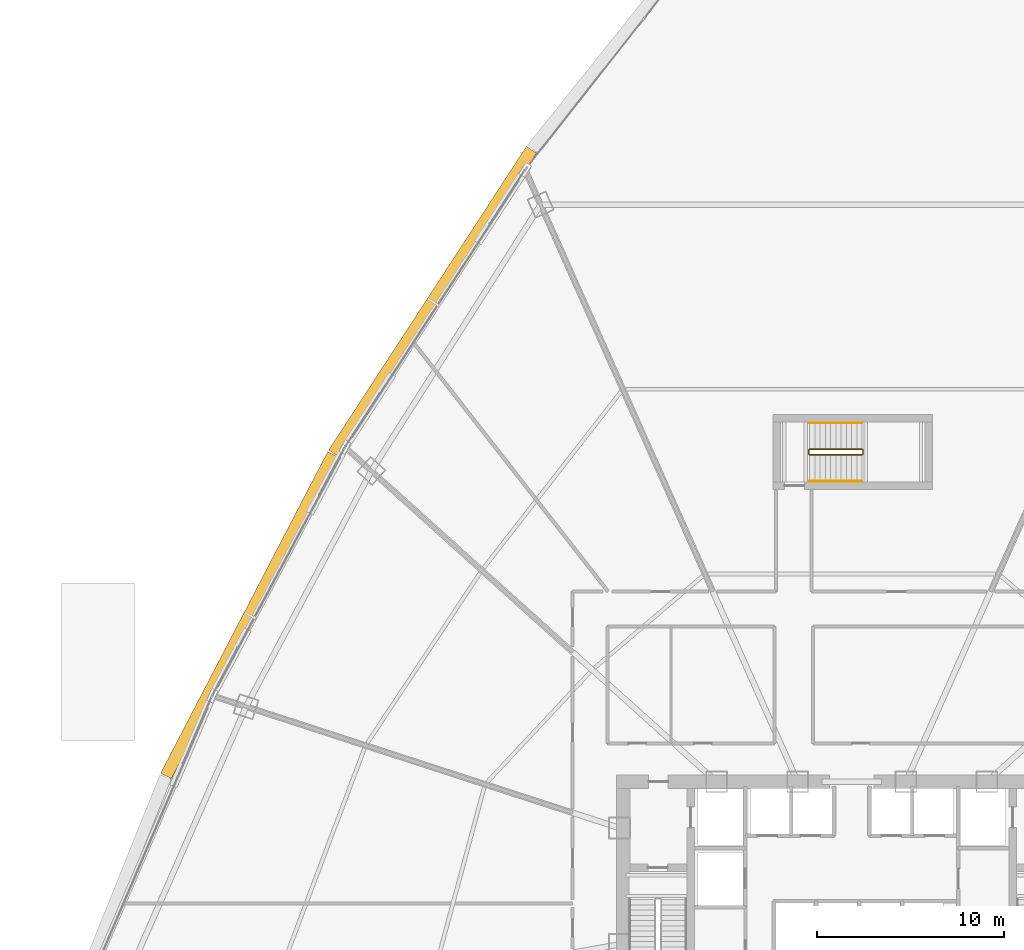
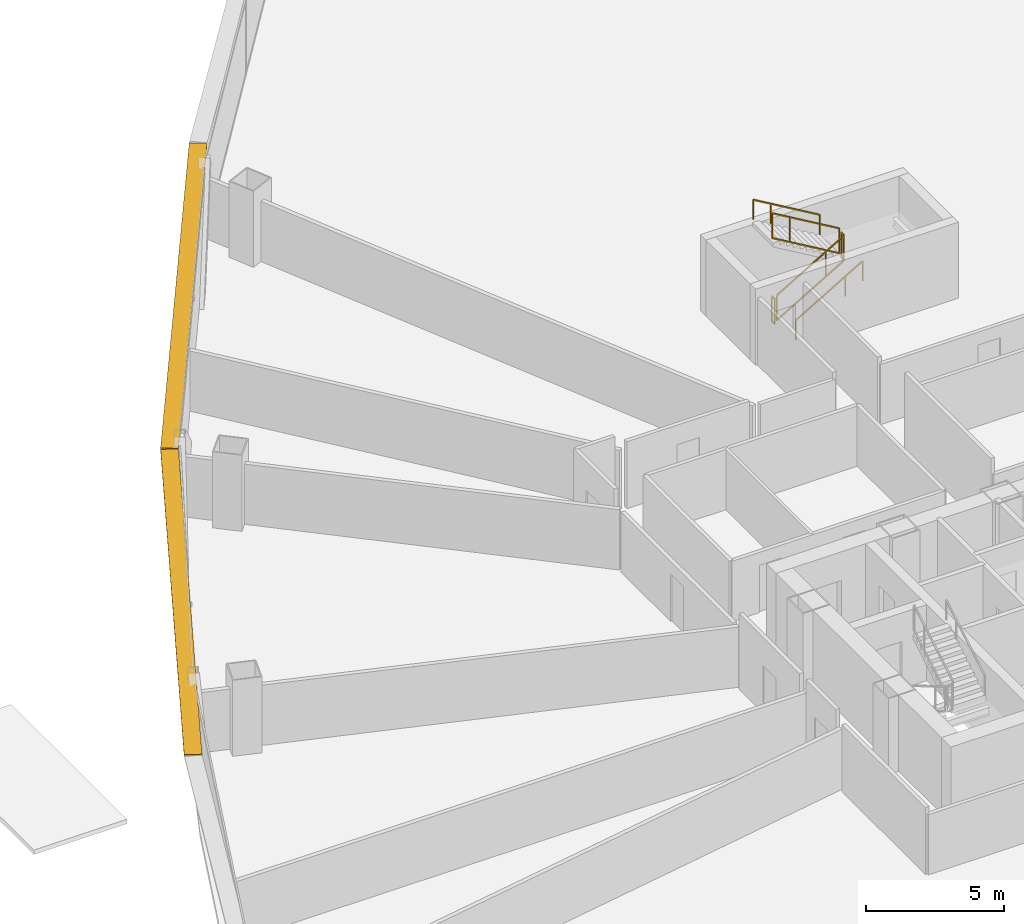
# One storey, part 37 of 38: 6 railings, 2 shading devices.
"""IFC4 building model written with IfcOpenShell, lengths in metres."""

from ifc_helpers import new_model, si_unit, direction, frame, origin, origin_2d, place, context, subcontext, project, spatial, rectangle, extrude, source, transform, mapped, material, layer, layer_set, type_object, element, save


model = new_model("IFC4")

# Units and contexts
model_context = context("Model", 3, precision=1e-05, world=origin(), true_north=direction((0.0, 1.0)))
body_context = subcontext(model_context, "Body", "Model", "MODEL_VIEW")
ifc_project = project(units=[si_unit("LENGTHUNIT", "METRE"), si_unit("AREAUNIT", "SQUARE_METRE"), si_unit("VOLUMEUNIT", "CUBIC_METRE"), si_unit("PLANEANGLEUNIT", "RADIAN"), si_unit("MASSUNIT", "GRAM", prefix="KILO"), si_unit("THERMODYNAMICTEMPERATUREUNIT", "KELVIN"), si_unit("POWERUNIT", "WATT")], contexts=[model_context])

# Site, building, storey
site_placement = place(None, origin())
site = spatial("IfcSite", under=ifc_project, at=site_placement, CompositionType="ELEMENT")
building_placement = place(site_placement, origin())
building = spatial("IfcBuilding", under=site, at=building_placement, Name="Yunzhuo Pagoda Commons", CompositionType="ELEMENT")
storey_placement = place(building_placement, frame((0.0, 0.0, 30.39990234375)))
storey = spatial("IfcBuildingStorey", under=building, at=storey_placement, Name="L07", CompositionType="ELEMENT", Elevation=30.39990234375)

# Railings
ifc_material = material(Name="Anodized aluminium 6063-T6", Category="aluminium")
railing_type_1 = type_object("IfcRailingType", Name="GR-ST3 North Well Guardrail 1155", PredefinedType="GUARDRAIL", material=ifc_material)
railing_1_placement = place(storey_placement, frame((45.75, 57.64990234375, 0.1650390625)))
element("IfcRailing", 1, at=railing_1_placement, inside=storey, type_object=railing_type_1, Name="L07 ST3 stair guard 1", PredefinedType="GUARDRAIL", context=body_context, shape_type="SweptSolid", body=[
    extrude(rectangle(XDim=0.048095703125, YDim=0.048095703125, at=origin_2d()), frame((0.0, 0.0, 1.1259765625), z_axis=(0.86152261977, 0.0, 0.507719189732), x_axis=(0.0, 1.0, 0.0)), (0.0, 0.0, 1.0), 3.25),
    extrude(rectangle(XDim=0.048095703125, YDim=0.048095703125, at=origin_2d()), frame((0.0, 0.0, 0.02392578125), z_axis=(0.86152261977, 0.0, 0.507719189732), x_axis=(0.0, 1.0, 0.0)), (0.0, 0.0, 1.0), 3.25),
    extrude(rectangle(XDim=0.0419921875, YDim=0.0419921875, at=origin_2d()), origin(), (0.0, 0.0, 1.0), 1.101806640625),
    extrude(rectangle(XDim=0.0419921875, YDim=0.0419921875, at=origin_2d()), frame((2.067626953125, 0.0, 1.218505859375)), (0.0, 0.0, 1.0), 1.101806640625),
    extrude(rectangle(XDim=0.0419921875, YDim=0.0419921875, at=origin_2d()), frame((2.800048828125, 0.0, 1.650146484375)), (0.0, 0.0, 1.0), 1.101806640625),
])
railing_2_placement = place(storey_placement, frame((48.60009765625, 57.699951171875, 1.815185546875)))
element("IfcRailing", 2, at=railing_2_placement, inside=storey, type_object=railing_type_1, Name="L07 ST3 stair guard 2", PredefinedType="GUARDRAIL", context=body_context, shape_type="SweptSolid", body=[
    extrude(rectangle(XDim=0.048095703125, YDim=0.048095703125, at=origin_2d()), frame((0.0, 0.0, 1.1259765625), z_axis=(0.0, 1.0, 0.0), x_axis=(-1.0, 0.0, 0.0)), (0.0, 0.0, 1.0), 0.199951171875),
    extrude(rectangle(XDim=0.048095703125, YDim=0.048095703125, at=origin_2d()), frame((0.0, 0.0, 0.02392578125), z_axis=(0.0, 1.0, 0.0), x_axis=(-1.0, 0.0, 0.0)), (0.0, 0.0, 1.0), 0.199951171875),
    extrude(rectangle(XDim=0.0419921875, YDim=0.0419921875, at=origin_2d()), origin(), (0.0, 0.0, 1.0), 1.101806640625),
    extrude(rectangle(XDim=0.0419921875, YDim=0.0419921875, at=origin_2d()), frame((0.0, 0.199951171875, 0.0)), (0.0, 0.0, 1.0), 1.101806640625),
])
railing_3_placement = place(storey_placement, frame((48.550048828125, 57.949951171875, 1.97998046875)))
element("IfcRailing", 3, at=railing_3_placement, inside=storey, type_object=railing_type_1, Name="L07 ST3 stair guard 3", PredefinedType="GUARDRAIL", context=body_context, shape_type="SweptSolid", body=[
    extrude(rectangle(XDim=0.048095703125, YDim=0.048095703125, at=origin_2d()), frame((0.0, 0.0, 1.1259765625), z_axis=(-0.86152261977, 0.0, 0.507719189732), x_axis=(0.0, -1.0, 0.0)), (0.0, 0.0, 1.0), 3.25),
    extrude(rectangle(XDim=0.048095703125, YDim=0.048095703125, at=origin_2d()), frame((0.0, 0.0, 0.02392578125), z_axis=(-0.86152261977, 0.0, 0.507719189732), x_axis=(0.0, -1.0, 0.0)), (0.0, 0.0, 1.0), 3.25),
    extrude(rectangle(XDim=0.0419921875, YDim=0.0419921875, at=origin_2d()), origin(), (0.0, 0.0, 1.0), 1.101806640625),
    extrude(rectangle(XDim=0.0419921875, YDim=0.0419921875, at=origin_2d()), frame((-2.067626953125, 0.0, 1.218505859375)), (0.0, 0.0, 1.0), 1.101806640625),
    extrude(rectangle(XDim=0.0419921875, YDim=0.0419921875, at=origin_2d()), frame((-2.800048828125, 0.0, 1.650146484375)), (0.0, 0.0, 1.0), 1.101806640625),
])
railing_4_placement = place(storey_placement, frame((45.699951171875, 57.699951171875, 0.0)))
element("IfcRailing", 4, at=railing_4_placement, inside=storey, type_object=railing_type_1, Name="L07 ST3 stair guard 4", PredefinedType="GUARDRAIL", context=body_context, shape_type="SweptSolid", body=[
    extrude(rectangle(XDim=0.048095703125, YDim=0.048095703125, at=origin_2d()), frame((0.0, 0.0, 1.1259765625), z_axis=(0.0, 1.0, 0.0), x_axis=(-1.0, 0.0, 0.0)), (0.0, 0.0, 1.0), 0.199951171875),
    extrude(rectangle(XDim=0.048095703125, YDim=0.048095703125, at=origin_2d()), frame((0.0, 0.0, 0.02392578125), z_axis=(0.0, 1.0, 0.0), x_axis=(-1.0, 0.0, 0.0)), (0.0, 0.0, 1.0), 0.199951171875),
    extrude(rectangle(XDim=0.0419921875, YDim=0.0419921875, at=origin_2d()), origin(), (0.0, 0.0, 1.0), 1.101806640625),
    extrude(rectangle(XDim=0.0419921875, YDim=0.0419921875, at=origin_2d()), frame((0.0, 0.199951171875, 0.0)), (0.0, 0.0, 1.0), 1.101806640625),
])
railing_type_2 = type_object("IfcRailingType", Name="HR-ST3 North Stair Handrail 900", PredefinedType="HANDRAIL", material=ifc_material)
railing_5_placement = place(storey_placement, frame((45.75, 56.25, 0.1650390625)))
element("IfcRailing", 5, at=railing_5_placement, inside=storey, type_object=railing_type_2, Name="L07 ST3 stair handrail 1", PredefinedType="HANDRAIL", context=body_context, shape_type="SweptSolid", body=[
    extrude(rectangle(XDim=0.048095703125, YDim=0.048095703125, at=origin_2d()), frame((0.0, 0.0, 0.8759765625), z_axis=(0.86152261977, 0.0, 0.507719189732), x_axis=(0.0, 1.0, 0.0)), (0.0, 0.0, 1.0), 3.25),
    extrude(rectangle(XDim=0.0419921875, YDim=0.0419921875, at=origin_2d()), origin(), (0.0, 0.0, 1.0), 0.851806640625),
    extrude(rectangle(XDim=0.0419921875, YDim=0.0419921875, at=origin_2d()), frame((2.067626953125, 0.0, 1.218505859375)), (0.0, 0.0, 1.0), 0.851806640625),
    extrude(rectangle(XDim=0.0419921875, YDim=0.0419921875, at=origin_2d()), frame((2.800048828125, 0.0, 1.650146484375)), (0.0, 0.0, 1.0), 0.851806640625),
])
railing_6_placement = place(storey_placement, frame((48.550048828125, 59.35009765625, 1.97998046875)))
element("IfcRailing", 6, at=railing_6_placement, inside=storey, type_object=railing_type_2, Name="L07 ST3 stair handrail 2", PredefinedType="HANDRAIL", context=body_context, shape_type="SweptSolid", body=[
    extrude(rectangle(XDim=0.048095703125, YDim=0.048095703125, at=origin_2d()), frame((0.0, 0.0, 0.8759765625), z_axis=(-0.86152261977, 0.0, 0.507719189732), x_axis=(0.0, -1.0, 0.0)), (0.0, 0.0, 1.0), 3.25),
    extrude(rectangle(XDim=0.0419921875, YDim=0.0419921875, at=origin_2d()), origin(), (0.0, 0.0, 1.0), 0.851806640625),
    extrude(rectangle(XDim=0.0419921875, YDim=0.0419921875, at=origin_2d()), frame((-2.067626953125, 0.0, 1.218505859375)), (0.0, 0.0, 1.0), 0.851806640625),
    extrude(rectangle(XDim=0.0419921875, YDim=0.0419921875, at=origin_2d()), frame((-2.800048828125, 0.0, 1.650146484375)), (0.0, 0.0, 1.0), 0.851806640625),
])

# Shading devices
ifc_layer = layer(ifc_material, 0.080078125)
ifc_layer_set = layer_set([ifc_layer], Name="Anodized aluminium 6063-T6")
shading_device_type = type_object("IfcShadingDeviceType", Name="SH-SUN1 Pagoda Horizontal Sunshade Eave 650", PredefinedType="USERDEFINED", material=ifc_layer_set)
shared_shape = source(origin(), body_context, "Body", "SweptSolid", [
    extrude(rectangle(XDim=19.345947265625, YDim=0.64990234375, at=origin_2d()), origin(), (0.0, 0.0, 1.0), 0.080078125),
])
for number, where, z_axis, x_axis, name in (
    (7, (25.621826171875, 65.834716796875, 3.2900390625), (0.0, 0.0, 1.0), (-0.545838756973, -0.837890238269, 0.0), "L07 horizontal pagoda sunshade eave F3.2"),
    (8, (15.8486328125, 49.09228515625, 3.2900390625), (0.0, 0.0, 1.0), (-0.461206683033, -0.88729273384, 0.0), "L07 horizontal pagoda sunshade eave F3.3"),
):
    element("IfcShadingDevice", number, at=place(storey_placement, frame(where, z_axis=z_axis, x_axis=x_axis)), inside=storey, type_object=shading_device_type, Name=name, ObjectType="SUNSHADE", PredefinedType="USERDEFINED", context=body_context, shape_type="MappedRepresentation", body=[
        mapped(shared_shape, transform((0.0, 0.0, 0.0), scale=1.0)),
    ])

save(model, "model.ifc")
